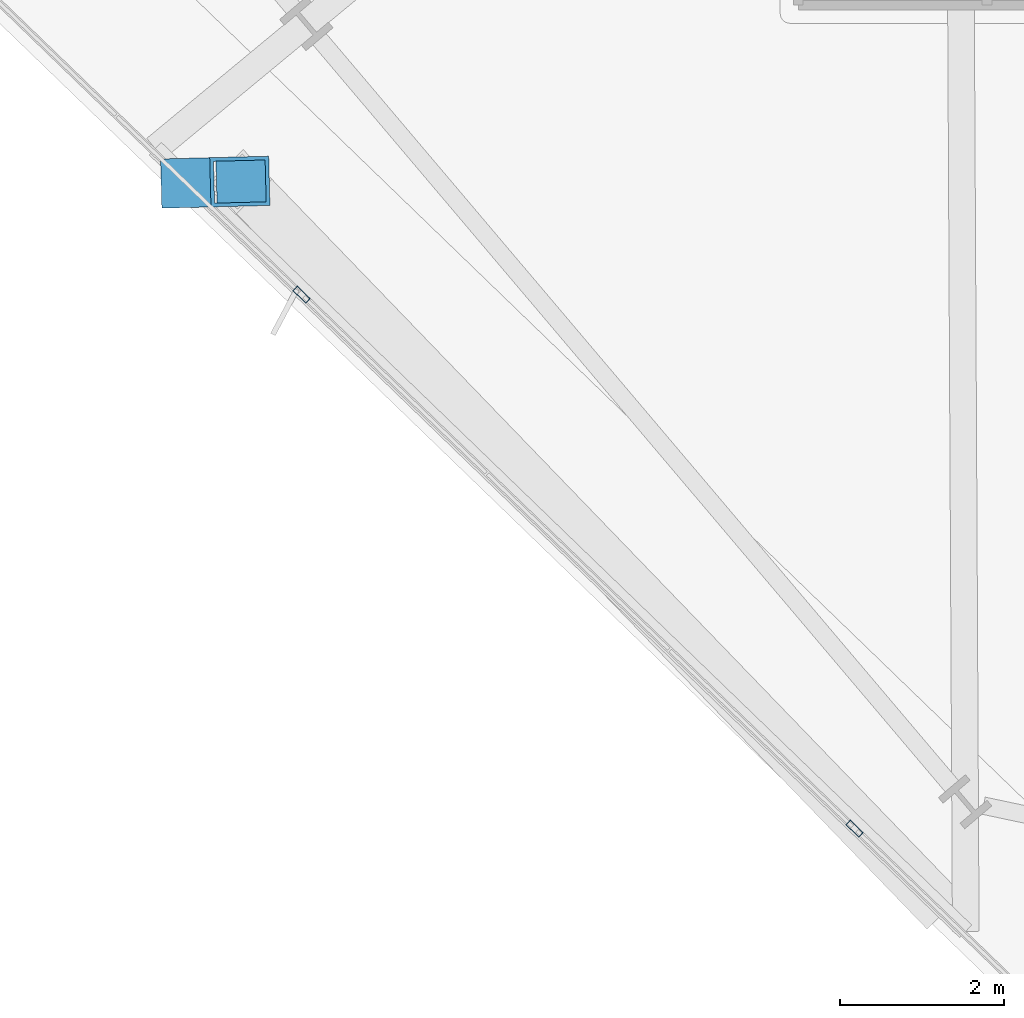
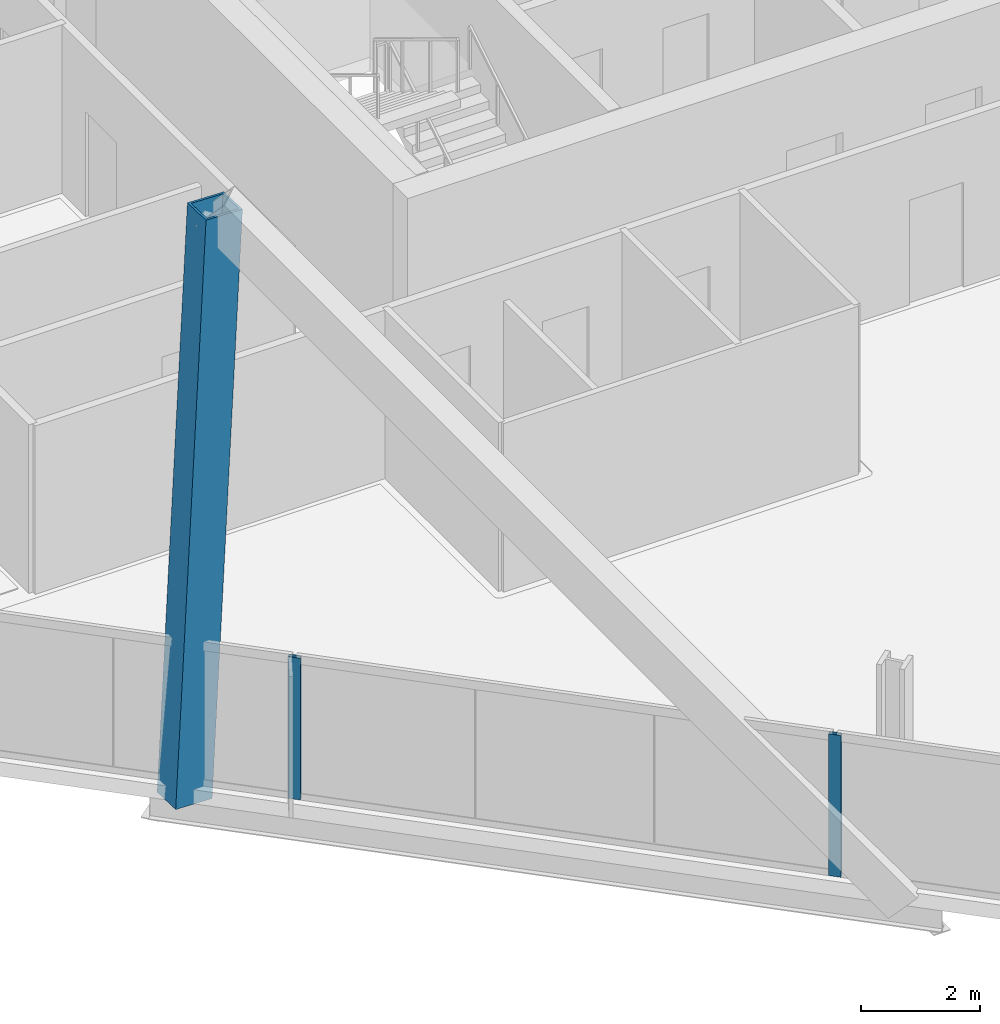
# One storey, part 2 of 33: 3 members, 1 element without a shape of its own.
"""IFC4 building model written with IfcOpenShell, lengths in metres."""

from ifc_helpers import new_model, si_unit, direction, frame, origin, origin_2d, place, context, subcontext, project, spatial, hollow_rectangle, extrude, material, material_profile, profile_set, type_object, element, aggregate, save


model = new_model("IFC4")

# Units and contexts
model_context = context("Model", 3, precision=1e-05, world=origin(), true_north=direction((0.0, 1.0)))
body_context = subcontext(model_context, "Body", "Model", "MODEL_VIEW")
ifc_project = project(units=[si_unit("LENGTHUNIT", "METRE"), si_unit("AREAUNIT", "SQUARE_METRE"), si_unit("VOLUMEUNIT", "CUBIC_METRE"), si_unit("PLANEANGLEUNIT", "RADIAN"), si_unit("MASSUNIT", "GRAM", prefix="KILO")], contexts=[model_context])

# Site, building, storey
site_placement = place(None, origin())
site = spatial("IfcSite", under=ifc_project, at=site_placement, CompositionType="ELEMENT")
building_placement = place(site_placement, origin())
building = spatial("IfcBuilding", under=site, at=building_placement, Name="Haldenkirk Collegiate Tower", CompositionType="ELEMENT")
storey_placement = place(building_placement, frame((0.0, 0.0, 181.949951171875)))
storey = spatial("IfcBuildingStorey", under=building, at=storey_placement, Name="L45", CompositionType="ELEMENT", Elevation=181.949951171875)

# Curtain wall, members
ifc_material_1 = material(Name="Anodised architectural bronze aluminium", Category="aluminium")
curtain_wall_type = type_object("IfcCurtainWallType", Name="CW-SYS1-CONVEX-LOW", PredefinedType="USERDEFINED", material=ifc_material_1)
curtain_wall_placement = place(storey_placement, origin())
curtain_wall = element("IfcCurtainWall", 1, at=curtain_wall_placement, inside=storey, type_object=curtain_wall_type, Name="L45 Lower tower convex bronze-framed unitised curtain wall", ObjectType="UNITISED CURTAIN WALL", PredefinedType="USERDEFINED")
ifc_material_profile_1 = material_profile(ifc_material_1, hollow_rectangle(XDim=0.080078125, YDim=0.219970703125, WallThickness=0.0048828125, at=origin_2d()), Name="CW-MUL-1A")
ifc_profile_set_1 = profile_set([ifc_material_profile_1], Name="Anodised architectural bronze aluminium")
member_type_1 = type_object("IfcMemberType", Name="CW-MUL-1A", PredefinedType="MULLION", material=ifc_profile_set_1)
member_1_placement = place(storey_placement, frame((25.737060546875, 1.615478515625, 0.0), z_axis=(0.0, 0.0, 1.0), x_axis=(-0.694657514243, -0.719340627176, 0.0)))
member_1 = element("IfcMember", 2, at=member_1_placement, type_object=member_type_1, Name="CW-1A mullion 2", PredefinedType="MULLION", context=body_context, shape_type="SweptSolid", body=[
    extrude(hollow_rectangle(XDim=0.080078125, YDim=0.219970703125, WallThickness=0.0048828125, at=origin_2d()), origin(), (0.0, 0.0, 1.0), 2.9111328125),
])
member_2_placement = place(storey_placement, frame((18.99755859375, 8.12353515625, 0.0), z_axis=(0.0, 0.0, 1.0), x_axis=(-0.694657514243, -0.719340627176, 0.0)))
member_2 = element("IfcMember", 3, at=member_2_placement, type_object=member_type_1, Name="CW-1A mullion 3", PredefinedType="MULLION", context=body_context, shape_type="SweptSolid", body=[
    extrude(hollow_rectangle(XDim=0.080078125, YDim=0.219970703125, WallThickness=0.0048828125, at=origin_2d()), origin(), (0.0, 0.0, 1.0), 2.9111328125),
])
aggregate(curtain_wall, [member_1, member_2])

# Member
ifc_material_2 = material(Name="Steel ASTM A572 Grade 50", Category="steel")
ifc_material_profile_2 = material_profile(ifc_material_2, hollow_rectangle(XDim=0.60009765625, YDim=0.719970703125, WallThickness=0.044921875, at=origin_2d()), Name="BOX720X600X45")
ifc_profile_set_2 = profile_set([ifc_material_profile_2], Name="Steel ASTM A572 Grade 50")
member_type_2 = type_object("IfcMemberType", Name="MBR-MEGABRACE-BOX720X600X45", PredefinedType="BRACE", material=ifc_profile_set_2)
member_3_placement = place(storey_placement, frame((17.645263671875, 9.4853515625, -0.300048828125), z_axis=(0.050346008907, 0.001293028358, 0.99873099855), x_axis=(-0.025674371226, 0.999670358999, 0.0)))
element("IfcMember", 4, at=member_3_placement, inside=storey, type_object=member_type_2, Name="Perimeter Mega Brace Z3 L45-L47 WL", PredefinedType="BRACE", context=body_context, shape_type="SweptSolid", body=[
    extrude(hollow_rectangle(XDim=0.60009765625, YDim=0.719970703125, WallThickness=0.044921875, at=origin_2d()), origin(), (0.0, 0.0, 1.0), 11.895263671875),
])

save(model, "model.ifc")
